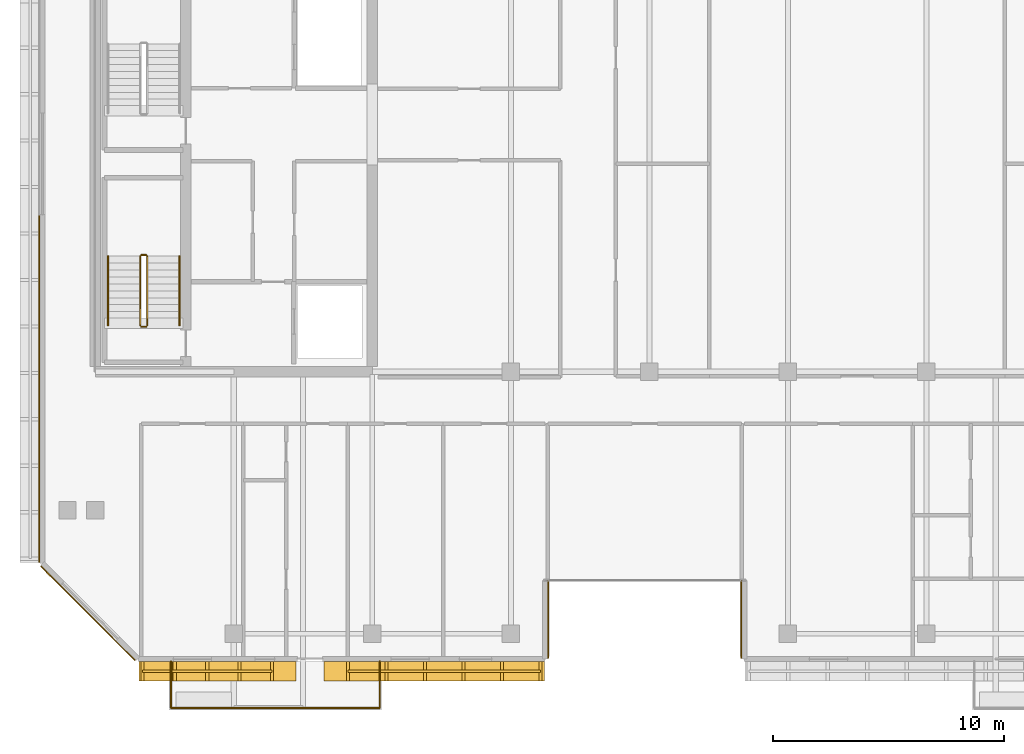
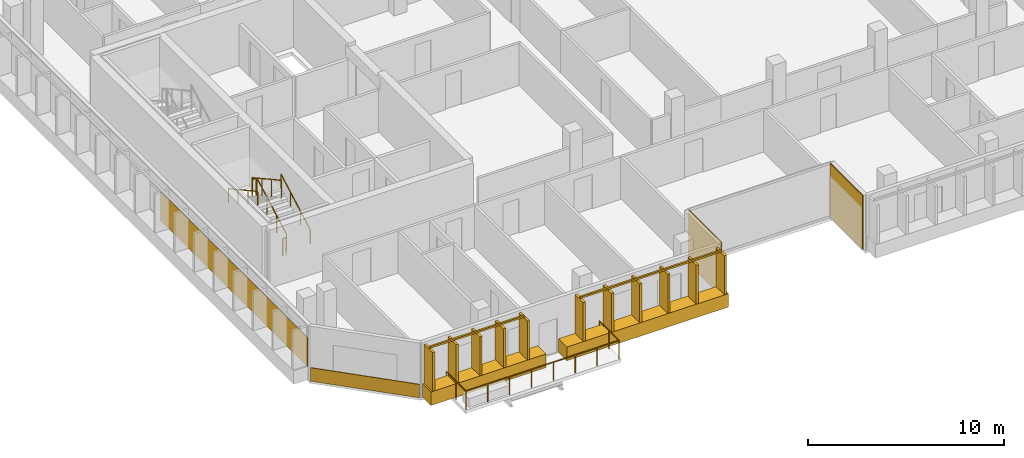
# One storey, part 13 of 17: 9 railings, 6 coverings.
"""IFC4 building model written with IfcOpenShell, lengths in metres."""

from ifc_helpers import new_model, si_unit, direction, frame, origin, origin_2d, place, context, subcontext, project, spatial, rectangle, extrude, material, layer, layer_set, type_object, element, save


model = new_model("IFC4")

# Units and contexts
model_context = context("Model", 3, precision=1e-05, world=origin(), true_north=direction((0.0, 1.0)))
body_context = subcontext(model_context, "Body", "Model", "MODEL_VIEW")
ifc_project = project(units=[si_unit("LENGTHUNIT", "METRE"), si_unit("AREAUNIT", "SQUARE_METRE"), si_unit("VOLUMEUNIT", "CUBIC_METRE"), si_unit("PLANEANGLEUNIT", "RADIAN"), si_unit("MASSUNIT", "GRAM", prefix="KILO")], contexts=[model_context])

# Site, building, storey
site_placement = place(None, origin())
site = spatial("IfcSite", under=ifc_project, at=site_placement, CompositionType="ELEMENT")
building_placement = place(site_placement, origin())
building = spatial("IfcBuilding", under=site, at=building_placement, Name="Tanjung Sevakor Pilgrim Tower", CompositionType="ELEMENT")
storey_placement = place(building_placement, frame((0.0, 0.0, 219.1201171875)))
storey = spatial("IfcBuildingStorey", under=building, at=storey_placement, Name="L61", CompositionType="ELEMENT", Elevation=219.1201171875)

# Coverings
ifc_material_1 = material(Name="Reconstructed Limestone Cladding", Category="masonry")
ifc_layer = layer(ifc_material_1, 0.044921875)
ifc_layer_set = layer_set([ifc_layer], Name="COV-CLAD-LIMESTONE")
covering_type = type_object("IfcCoveringType", Name="COV-CLAD-LIMESTONE", PredefinedType="CLADDING", material=ifc_layer_set)
covering_1_placement = place(storey_placement, frame((29.287841796875, 11.6201171875, 0.009765625), z_axis=(0.0, 0.0, 1.0), x_axis=(1.0, 0.0, 0.0)))
element("IfcCovering", 1, at=covering_1_placement, inside=storey, type_object=covering_type, Name="L61 Warm Limestone Sill Spandrel EW-L61-MAIN-1-1", PredefinedType="CLADDING", context=body_context, shape_type="SweptSolid", body=[
    extrude(rectangle(XDim=6.804443359375, YDim=0.860107421875, at=origin_2d()), origin(), (0.0, 0.0, 1.0), 0.840087890625),
])
covering_2_placement = place(storey_placement, frame((38.679931640625, 11.6201171875, 0.009765625), z_axis=(0.0, 0.0, 1.0), x_axis=(1.0, 0.0, 0.0)))
element("IfcCovering", 2, at=covering_2_placement, inside=storey, type_object=covering_type, Name="L61 Warm Limestone Sill Spandrel EW-L61-MAIN-1-2", PredefinedType="CLADDING", context=body_context, shape_type="SweptSolid", body=[
    extrude(rectangle(XDim=9.5400390625, YDim=0.860107421875, at=origin_2d()), origin(), (0.0, 0.0, 1.0), 0.840087890625),
])
for number, where, z_axis, x_axis, name in (
    (3, (43.62255859375, 13.860107421875, 0.019775390625), (0.0, 0.0, 1.0), (0.0, 1.0, 0.0), "L61 Warm Limestone Wall Cladding EW-L61-MAIN-2"),
    (4, (51.9775390625, 13.860107421875, 0.019775390625), (0.0, 0.0, 1.0), (0.0, -1.0, 0.0), "L61 Warm Limestone Wall Cladding EW-L61-MAIN-4"),
):
    element("IfcCovering", number, at=place(storey_placement, frame(where, z_axis=z_axis, x_axis=x_axis)), inside=storey, type_object=covering_type, Name=name, PredefinedType="CLADDING", context=body_context, shape_type="SweptSolid", body=[
        extrude(rectangle(XDim=3.360107421875, YDim=0.044921875, at=origin_2d()), origin(), (0.0, 0.0, 1.0), 3.3701171875),
    ])
covering_3_placement = place(storey_placement, frame((21.577392578125, 23.8427734375, 0.849853515625), z_axis=(0.0, 0.0, 1.0), x_axis=(0.0, -1.0, 0.0)))
element("IfcCovering", 5, at=covering_3_placement, inside=storey, type_object=covering_type, Name="L61 Warm Limestone Pier Panel EW-L61-MAIN-15-2", PredefinedType="CLADDING", context=body_context, shape_type="SweptSolid", body=[
    extrude(rectangle(XDim=15.014404296875, YDim=0.044921875, at=origin_2d()), origin(), (0.0, 0.0, 1.0), 1.81005859375),
])
covering_4_placement = place(storey_placement, frame((23.68408203125, 14.134033203125, 0.009765625), z_axis=(0.0, 0.0, 1.0), x_axis=(0.707106781187, -0.707106781187, 0.0)))
element("IfcCovering", 6, at=covering_4_placement, inside=storey, type_object=covering_type, Name="L61 Warm Limestone Sill Spandrel EW-CHM-L61-MAIN-15-1", PredefinedType="CLADDING", context=body_context, shape_type="SweptSolid", body=[
    extrude(rectangle(XDim=5.7685546875, YDim=0.044921875, at=origin_2d()), origin(), (0.0, 0.0, 1.0), 0.840087890625),
])

# Railings
ifc_material_2 = material(Name="Laminated Glass and Aluminium", Category="aluminium")
railing_type_1 = type_object("IfcRailingType", Name="RL-BAL-BALUST", PredefinedType="BALUSTRADE", material=ifc_material_2)
railing_1_placement = place(storey_placement, frame((27.280029296875, 12.050048828125, 0.0)))
element("IfcRailing", 7, at=railing_1_placement, inside=storey, type_object=railing_type_1, Name="L61 Loggia Balustrade MAIN-S1", PredefinedType="BALUSTRADE", context=body_context, shape_type="SweptSolid", body=[
    extrude(rectangle(XDim=0.0479, YDim=0.0479), frame((0.0, 0.0, 1.1259765625), z_axis=(0.0, -1.0, 0.0), x_axis=(1.0, 0.0, 0.0)), (0.0, 0.0, 1.0), 2.02001953125),
    extrude(rectangle(XDim=0.0479, YDim=0.0479), frame((0.0, -2.02001953125, 1.1259765625), z_axis=(1.0, 0.0, 0.0), x_axis=(0.0, 1.0, 0.0)), (0.0, 0.0, 1.0), 9.0400390625),
    extrude(rectangle(XDim=0.0479, YDim=0.0479), frame((9.0400390625, -2.02001953125, 1.1259765625), z_axis=(0.0, 1.0, 0.0), x_axis=(-1.0, 0.0, 0.0)), (0.0, 0.0, 1.0), 2.02001953125),
    extrude(rectangle(XDim=0.042, YDim=0.042), origin(), (0.0, 0.0, 1.0), 1.101806640625),
    extrude(rectangle(XDim=0.042, YDim=0.042), frame((0.0, -1.010009765625, 0.0)), (0.0, 0.0, 1.0), 1.101806640625),
    extrude(rectangle(XDim=0.042, YDim=0.042), frame((0.0, -2.02001953125, 0.0)), (0.0, 0.0, 1.0), 1.101806640625),
    extrude(rectangle(XDim=0.042, YDim=0.042), frame((1.29150390625, -2.02001953125, 0.0)), (0.0, 0.0, 1.0), 1.101806640625),
    extrude(rectangle(XDim=0.042, YDim=0.042), frame((2.582763671875, -2.02001953125, 0.0)), (0.0, 0.0, 1.0), 1.101806640625),
    extrude(rectangle(XDim=0.042, YDim=0.042), frame((3.874267578125, -2.02001953125, 0.0)), (0.0, 0.0, 1.0), 1.101806640625),
    extrude(rectangle(XDim=0.042, YDim=0.042), frame((5.165771484375, -2.02001953125, 0.0)), (0.0, 0.0, 1.0), 1.101806640625),
    extrude(rectangle(XDim=0.042, YDim=0.042), frame((6.457275390625, -2.02001953125, 0.0)), (0.0, 0.0, 1.0), 1.101806640625),
    extrude(rectangle(XDim=0.042, YDim=0.042), frame((7.74853515625, -2.02001953125, 0.0)), (0.0, 0.0, 1.0), 1.101806640625),
    extrude(rectangle(XDim=0.042, YDim=0.042), frame((9.0400390625, -2.02001953125, 0.0)), (0.0, 0.0, 1.0), 1.101806640625),
    extrude(rectangle(XDim=0.042, YDim=0.042), frame((9.0400390625, -1.010009765625, 0.0)), (0.0, 0.0, 1.0), 1.101806640625),
    extrude(rectangle(XDim=0.042, YDim=0.042), frame((9.0400390625, 0.0, 0.0)), (0.0, 0.0, 1.0), 1.101806640625),
])
ifc_material_3 = material(Name="Anodised Bronze Aluminium 6063-T6", Category="aluminium")
railing_type_2 = type_object("IfcRailingType", Name="RL-FIN-SCREEN", PredefinedType="BALUSTRADE", material=ifc_material_3)
railing_2_placement = place(storey_placement, frame((26.045654296875, 11.625, 0.83984375)))
element("IfcRailing", 8, at=railing_2_placement, inside=storey, type_object=railing_type_2, Name="L61 Vertical Bronze-Gold Solar Fin Screen FNSCR-EW-L61-MAIN-1-1", PredefinedType="BALUSTRADE", context=body_context, shape_type="SweptSolid", body=[
    extrude(rectangle(XDim=0.105, YDim=0.105), frame((0.0, 0.0, 2.487548828125), z_axis=(1.0, 0.0, 0.0), x_axis=(0.0, 1.0, 0.0)), (0.0, 0.0, 1.0), 5.604248046875),
    extrude(rectangle(XDim=0.14, YDim=0.85), origin(), (0.0, 0.0, 1.0), 2.43505859375),
    extrude(rectangle(XDim=0.14, YDim=0.85), frame((1.401123046875, 0.0, 0.0)), (0.0, 0.0, 1.0), 2.43505859375),
    extrude(rectangle(XDim=0.14, YDim=0.85), frame((2.80224609375, 0.0, 0.0)), (0.0, 0.0, 1.0), 2.43505859375),
    extrude(rectangle(XDim=0.14, YDim=0.85), frame((4.203125, 0.0, 0.0)), (0.0, 0.0, 1.0), 2.43505859375),
    extrude(rectangle(XDim=0.14, YDim=0.85), frame((5.604248046875, 0.0, 0.0)), (0.0, 0.0, 1.0), 2.43505859375),
])
railing_3_placement = place(storey_placement, frame((34.949951171875, 11.625, 0.83984375)))
element("IfcRailing", 9, at=railing_3_placement, inside=storey, type_object=railing_type_2, Name="L61 Vertical Bronze-Gold Solar Fin Screen FNSCR-EW-L61-MAIN-1-2", PredefinedType="BALUSTRADE", context=body_context, shape_type="SweptSolid", body=[
    extrude(rectangle(XDim=0.105, YDim=0.105), frame((0.0, 0.0, 2.487548828125), z_axis=(1.0, 0.0, 0.0), x_axis=(0.0, 1.0, 0.0)), (0.0, 0.0, 1.0), 8.340087890625),
    extrude(rectangle(XDim=0.14, YDim=0.85), origin(), (0.0, 0.0, 1.0), 2.43505859375),
    extrude(rectangle(XDim=0.14, YDim=0.85), frame((1.66796875, 0.0, 0.0)), (0.0, 0.0, 1.0), 2.43505859375),
    extrude(rectangle(XDim=0.14, YDim=0.85), frame((3.3359375, 0.0, 0.0)), (0.0, 0.0, 1.0), 2.43505859375),
    extrude(rectangle(XDim=0.14, YDim=0.85), frame((5.004150390625, 0.0, 0.0)), (0.0, 0.0, 1.0), 2.43505859375),
    extrude(rectangle(XDim=0.14, YDim=0.85), frame((6.672119140625, 0.0, 0.0)), (0.0, 0.0, 1.0), 2.43505859375),
    extrude(rectangle(XDim=0.14, YDim=0.85), frame((8.340087890625, 0.0, 0.0)), (0.0, 0.0, 1.0), 2.43505859375),
])
ifc_material_4 = material(Name="Steel S355J2", Category="steel")
railing_type_3 = type_object("IfcRailingType", Name="RL-STAIR-GUARD", PredefinedType="GUARDRAIL", material=ifc_material_4)
railing_4_placement = place(storey_placement, frame((26.25, 26.60009765625, 0.164794921875)))
element("IfcRailing", 10, at=railing_4_placement, inside=storey, type_object=railing_type_3, Name="L61 TS-W1 stair guard 1", PredefinedType="GUARDRAIL", context=body_context, shape_type="SweptSolid", body=[
    extrude(rectangle(XDim=0.0479, YDim=0.0479), frame((0.0, 0.0, 1.076171875), z_axis=(0.0, 0.876197842262, 0.481951596342), x_axis=(-1.0, 0.0, 0.0)), (0.0, 0.0, 1.0), 3.423828125),
    extrude(rectangle(XDim=0.042, YDim=0.042), origin(), (0.0, 0.0, 1.0), 1.052001953125),
    extrude(rectangle(XDim=0.042, YDim=0.042), frame((0.0, 1.0, 0.550048828125)), (0.0, 0.0, 1.0), 1.052001953125),
    extrude(rectangle(XDim=0.042, YDim=0.042), frame((0.0, 2.0, 1.10009765625)), (0.0, 0.0, 1.0), 1.052001953125),
    extrude(rectangle(XDim=0.042, YDim=0.042), frame((0.0, 3.0, 1.650146484375)), (0.0, 0.0, 1.0), 1.052001953125),
])
railing_5_placement = place(storey_placement, frame((26.199951171875, 29.64990234375, 1.81494140625)))
element("IfcRailing", 11, at=railing_5_placement, inside=storey, type_object=railing_type_3, Name="L61 TS-W1 stair guard 2", PredefinedType="GUARDRAIL", context=body_context, shape_type="SweptSolid", body=[
    extrude(rectangle(XDim=0.0479, YDim=0.0479), frame((0.0, 0.0, 1.076171875), z_axis=(-1.0, 0.0, 0.0), x_axis=(0.0, -1.0, 0.0)), (0.0, 0.0, 1.0), 0.199951171875),
    extrude(rectangle(XDim=0.042, YDim=0.042), origin(), (0.0, 0.0, 1.0), 1.052001953125),
    extrude(rectangle(XDim=0.042, YDim=0.042), frame((-0.199951171875, 0.0, 0.0)), (0.0, 0.0, 1.0), 1.052001953125),
])
railing_6_placement = place(storey_placement, frame((25.949951171875, 29.60009765625, 1.97998046875)))
element("IfcRailing", 12, at=railing_6_placement, inside=storey, type_object=railing_type_3, Name="L61 TS-W1 stair guard 3", PredefinedType="GUARDRAIL", context=body_context, shape_type="SweptSolid", body=[
    extrude(rectangle(XDim=0.0479, YDim=0.0479), frame((0.0, 0.0, 1.076171875), z_axis=(0.0, -0.876227952683, 0.48189685093), x_axis=(1.0, 0.0, 0.0)), (0.0, 0.0, 1.0), 3.423828125),
    extrude(rectangle(XDim=0.042, YDim=0.042), origin(), (0.0, 0.0, 1.0), 1.052001953125),
    extrude(rectangle(XDim=0.042, YDim=0.042), frame((0.0, -1.0, 0.550048828125)), (0.0, 0.0, 1.0), 1.052001953125),
    extrude(rectangle(XDim=0.042, YDim=0.042), frame((0.0, -2.0, 1.099853515625)), (0.0, 0.0, 1.0), 1.052001953125),
    extrude(rectangle(XDim=0.042, YDim=0.042), frame((0.0, -3.0, 1.64990234375)), (0.0, 0.0, 1.0), 1.052001953125),
])
railing_7_placement = place(storey_placement, frame((26.199951171875, 26.550048828125, 0.0)))
element("IfcRailing", 13, at=railing_7_placement, inside=storey, type_object=railing_type_3, Name="L61 TS-W1 stair guard 4", PredefinedType="GUARDRAIL", context=body_context, shape_type="SweptSolid", body=[
    extrude(rectangle(XDim=0.0479, YDim=0.0479), frame((0.0, 0.0, 1.076171875), z_axis=(-1.0, 0.0, 0.0), x_axis=(0.0, -1.0, 0.0)), (0.0, 0.0, 1.0), 0.199951171875),
    extrude(rectangle(XDim=0.042, YDim=0.042), origin(), (0.0, 0.0, 1.0), 1.052001953125),
    extrude(rectangle(XDim=0.042, YDim=0.042), frame((-0.199951171875, 0.0, 0.0)), (0.0, 0.0, 1.0), 1.052001953125),
])
ifc_material_5 = material(Name="Steel S355J2", Category="steel")
railing_type_4 = type_object("IfcRailingType", Name="RL-STAIR-HAND", PredefinedType="HANDRAIL", material=ifc_material_5)
railing_8_placement = place(storey_placement, frame((27.64990234375, 26.60009765625, 0.164794921875)))
element("IfcRailing", 14, at=railing_8_placement, inside=storey, type_object=railing_type_4, Name="L61 TS-W1 stair handrail 1", PredefinedType="HANDRAIL", context=body_context, shape_type="SweptSolid", body=[
    extrude(rectangle(XDim=0.0479, YDim=0.0479), frame((0.0, 0.0, 0.8759765625), z_axis=(0.0, 0.876197842262, 0.481951596342), x_axis=(-1.0, 0.0, 0.0)), (0.0, 0.0, 1.0), 3.423828125),
    extrude(rectangle(XDim=0.042, YDim=0.042), origin(), (0.0, 0.0, 1.0), 0.851806640625),
    extrude(rectangle(XDim=0.042, YDim=0.042), frame((0.0, 1.0, 0.550048828125)), (0.0, 0.0, 1.0), 0.851806640625),
    extrude(rectangle(XDim=0.042, YDim=0.042), frame((0.0, 2.0, 1.10009765625)), (0.0, 0.0, 1.0), 0.851806640625),
    extrude(rectangle(XDim=0.042, YDim=0.042), frame((0.0, 3.0, 1.650146484375)), (0.0, 0.0, 1.0), 0.851806640625),
])
railing_9_placement = place(storey_placement, frame((24.550048828125, 29.60009765625, 1.97998046875)))
element("IfcRailing", 15, at=railing_9_placement, inside=storey, type_object=railing_type_4, Name="L61 TS-W1 stair handrail 2", PredefinedType="HANDRAIL", context=body_context, shape_type="SweptSolid", body=[
    extrude(rectangle(XDim=0.0479, YDim=0.0479), frame((0.0, 0.0, 0.8759765625), z_axis=(0.0, -0.876227952683, 0.48189685093), x_axis=(1.0, 0.0, 0.0)), (0.0, 0.0, 1.0), 3.423828125),
    extrude(rectangle(XDim=0.042, YDim=0.042), origin(), (0.0, 0.0, 1.0), 0.851806640625),
    extrude(rectangle(XDim=0.042, YDim=0.042), frame((0.0, -1.0, 0.550048828125)), (0.0, 0.0, 1.0), 0.851806640625),
    extrude(rectangle(XDim=0.042, YDim=0.042), frame((0.0, -2.0, 1.099853515625)), (0.0, 0.0, 1.0), 0.851806640625),
    extrude(rectangle(XDim=0.042, YDim=0.042), frame((0.0, -3.0, 1.64990234375)), (0.0, 0.0, 1.0), 0.851806640625),
])

save(model, "model.ifc")
